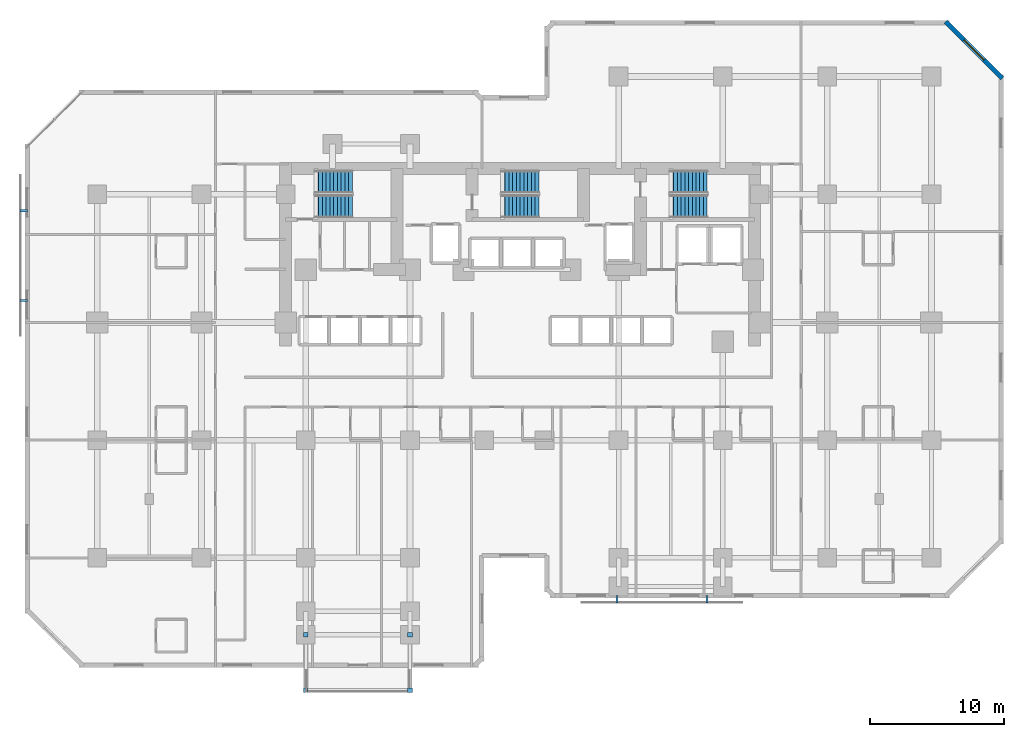
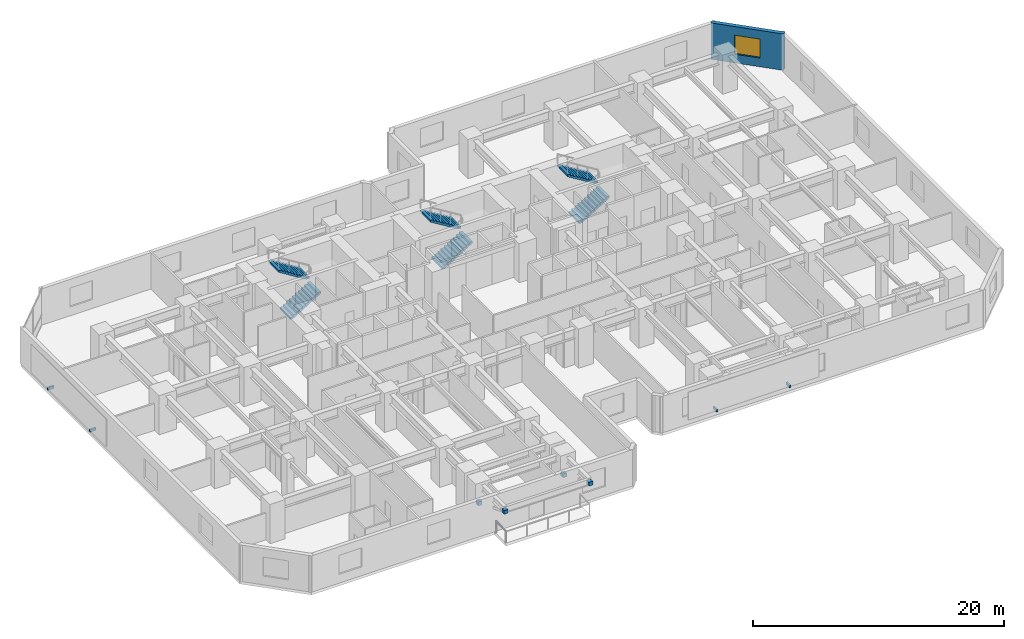
# One storey, part 10 of 12: 8 discrete accessories, 6 stair flights, 1 wall, 1 window, 1 opening, 3 elements without a shape of their own.
"""IFC4 building model written with IfcOpenShell, lengths in metres."""

from ifc_helpers import new_model, si_unit, direction, frame, frame_2d, origin, origin_2d, place, context, subcontext, project, spatial, polyline, rectangle, outline, extrude, material, layer, layer_set, type_object, element, fill, aggregate, save


model = new_model("IFC4")

# Units and contexts
model_context = context("Model", 3, precision=1e-05, world=origin(), true_north=direction((0.0, 1.0)))
body_context = subcontext(model_context, "Body", "Model", "MODEL_VIEW")
ifc_project = project(units=[si_unit("LENGTHUNIT", "METRE"), si_unit("AREAUNIT", "SQUARE_METRE"), si_unit("VOLUMEUNIT", "CUBIC_METRE"), si_unit("PLANEANGLEUNIT", "RADIAN"), si_unit("MASSUNIT", "GRAM", prefix="KILO")], contexts=[model_context])

# Site, building, storey
site_placement = place(None, origin())
site = spatial("IfcSite", under=ifc_project, at=site_placement, CompositionType="ELEMENT")
building_placement = place(site_placement, origin())
building = spatial("IfcBuilding", under=site, at=building_placement, Name="Kestravale Grand Hotel", CompositionType="ELEMENT")
storey_placement = place(building_placement, frame((0.0, 0.0, 41.199951171875)))
storey = spatial("IfcBuildingStorey", under=building, at=storey_placement, Name="L09", CompositionType="ELEMENT", Elevation=41.199951171875)

# Wall, opening, window
ifc_material_1 = material(Name="Precast concrete f'c 45 MPa", Category="concrete")
ifc_layer = layer(ifc_material_1, 0.340087890625)
ifc_layer_set = layer_set([ifc_layer], Name="EW-PREC-340")
wall_type = type_object("IfcWallType", Name="EW-PREC-340", PredefinedType="SOLIDWALL", material=ifc_layer_set)
wall_placement = place(storey_placement, frame((75.508056640625, 47.051513671875, 0.0), z_axis=(0.0, 0.0, 1.0), x_axis=(-0.707106781187, 0.707106781187, 0.0)))
wall = element("IfcWall", 1, at=wall_placement, inside=storey, type_object=wall_type, Name="L09 fluted precast facade wall 10", PredefinedType="SOLIDWALL", context=body_context, shape_type="SweptSolid", body=[
    extrude(rectangle(XDim=6.019775390625, YDim=0.340087890625, at=frame_2d((3.009765625, 0.0))), origin(), (0.0, 0.0, 1.0), 3.5400390625),
])
opening_placement = place(wall_placement, frame((1.9599609375, 0.0, 0.85009765625)))
opening = element("IfcOpeningElement", 2, at=opening_placement, cuts=wall, Name="Opening W-GUEST-2100", PredefinedType="OPENING", context=body_context, shape_type="SweptSolid", body=[
    extrude(rectangle(XDim=2.10009765625, YDim=1.85009765625, at=frame_2d((1.050048828125, 0.925048828125))), frame((0.0, 0.179931640625, 0.0), z_axis=(0.0, -1.0, 0.0), x_axis=(1.0, 0.0, 0.0)), (0.0, 0.0, 1.0), 0.360107421875),
])
ifc_material_2 = material(Name="Insulated low-E double glazing in aluminium frame", Category="aluminium")
window_type = type_object("IfcWindowType", Name="W-GUEST-2100", PartitioningType="DOUBLE_PANEL_VERTICAL", PredefinedType="WINDOW", material=ifc_material_2)
window_placement = place(opening_placement, origin())
window = element("IfcWindow", 3, at=window_placement, inside=storey, type_object=window_type, Name="L09 exterior window 10.1", OverallHeight=1.85009765625, OverallWidth=2.10009765625, PartitioningType="SINGLE_PANEL", PredefinedType="WINDOW", context=body_context, shape_type="SweptSolid", body=[
    extrude(rectangle(XDim=2.10009765625, YDim=1.85009765625, at=frame_2d((1.050048828125, 0.925048828125))), frame((0.0, 0.030029296875, 0.0), z_axis=(0.0, -1.0, 0.0), x_axis=(1.0, 0.0, 0.0)), (0.0, 0.0, 1.0), 0.06005859375),
])
fill(opening, window)

# Stair, stair flights
ifc_material_3 = material(Name="Concrete f'c 45 MPa", Category="concrete")
stair_type = type_object("IfcStairType", Name="ST-CORE-380", PredefinedType="HALF_TURN_STAIR", material=ifc_material_3)
stair_1_placement = place(storey_placement, origin())
stair_1 = element("IfcStair", 4, at=stair_1_placement, inside=storey, type_object=stair_type, Name="L09 ST-1", PredefinedType="HALF_TURN_STAIR")
ifc_material_4 = material(Name="Concrete f'c 45 MPa", Category="concrete")
stair_flight_type = type_object("IfcStairFlightType", Name="STF-CORE-380", PredefinedType="STRAIGHT", material=ifc_material_4)
stair_flight_1_placement = place(storey_placement, frame((24.080078125, 37.489990234375, 0.0), z_axis=(0.0, 0.0, 1.0), x_axis=(1.0, 0.0, 0.0)))
stair_flight_1 = element("IfcStairFlight", 5, at=stair_flight_1_placement, type_object=stair_flight_type, Name="ST-1 flight 1", NumberOfRisers=11, NumberOfTreads=10, PredefinedType="STRAIGHT", RiserHeight=0.172727273, TreadLength=0.28, context=body_context, shape_type="SweptSolid", body=[
    extrude(outline(polyline([(0.0, 0.0), (0.0, 0.172607421875), (0.280029296875, 0.172607421875), (0.280029296875, 0.345458984375), (0.56005859375, 0.345458984375), (0.56005859375, 0.51806640625), (0.840087890625, 0.51806640625), (0.840087890625, 0.69091796875), (1.1201171875, 0.69091796875), (1.1201171875, 0.863525390625), (1.39990234375, 0.863525390625), (1.39990234375, 1.036376953125), (1.679931640625, 1.036376953125), (1.679931640625, 1.208984375), (1.9599609375, 1.208984375), (1.9599609375, 1.3818359375), (2.239990234375, 1.3818359375), (2.239990234375, 1.554443359375), (2.52001953125, 1.554443359375), (2.52001953125, 1.727294921875), (2.800048828125, 1.727294921875), (2.800048828125, 1.89990234375), (2.800048828125, 1.551025390625), (0.285400390625, 0.0), (0.0, 0.0)])), frame((0.0, 0.83984375, 0.0), z_axis=(0.0, -1.0, 0.0), x_axis=(1.0, 0.0, 0.0)), (0.0, 0.0, 1.0), 1.679931640625),
])
stair_flight_2_placement = place(storey_placement, frame((26.8798828125, 39.320068359375, 1.900146484375), z_axis=(0.0, 0.0, 1.0), x_axis=(-1.0, 0.0, 0.0)))
stair_flight_2 = element("IfcStairFlight", 6, at=stair_flight_2_placement, type_object=stair_flight_type, Name="ST-1 flight 2", NumberOfRisers=11, NumberOfTreads=10, PredefinedType="STRAIGHT", RiserHeight=0.172727273, TreadLength=0.28, context=body_context, shape_type="SweptSolid", body=[
    extrude(outline(polyline([(0.0, 0.0), (0.0, 0.172607421875), (0.280029296875, 0.172607421875), (0.280029296875, 0.345458984375), (0.56005859375, 0.345458984375), (0.56005859375, 0.51806640625), (0.840087890625, 0.51806640625), (0.840087890625, 0.69091796875), (1.1201171875, 0.69091796875), (1.1201171875, 0.863525390625), (1.39990234375, 0.863525390625), (1.39990234375, 1.036376953125), (1.679931640625, 1.036376953125), (1.679931640625, 1.208984375), (1.9599609375, 1.208984375), (1.9599609375, 1.3818359375), (2.239990234375, 1.3818359375), (2.239990234375, 1.554443359375), (2.52001953125, 1.554443359375), (2.52001953125, 1.727294921875), (2.800048828125, 1.727294921875), (2.800048828125, 1.89990234375), (2.800048828125, 1.551025390625), (0.285400390625, 0.0), (0.0, 0.0)])), frame((0.0, 0.83984375, 0.0), z_axis=(0.0, -1.0, 0.0), x_axis=(1.0, 0.0, 0.0)), (0.0, 0.0, 1.0), 1.679931640625),
])
aggregate(stair_1, [stair_flight_1, stair_flight_2])

stair_2_placement = place(storey_placement, origin())
stair_2 = element("IfcStair", 7, at=stair_2_placement, inside=storey, type_object=stair_type, Name="L09 ST-2", PredefinedType="HALF_TURN_STAIR")
stair_flight_3_placement = place(storey_placement, frame((38.030029296875, 37.489990234375, 0.0), z_axis=(0.0, 0.0, 1.0), x_axis=(1.0, 0.0, 0.0)))
stair_flight_3 = element("IfcStairFlight", 8, at=stair_flight_3_placement, type_object=stair_flight_type, Name="ST-2 flight 1", NumberOfRisers=11, NumberOfTreads=10, PredefinedType="STRAIGHT", RiserHeight=0.172727273, TreadLength=0.28, context=body_context, shape_type="SweptSolid", body=[
    extrude(outline(polyline([(0.0, 0.0), (0.0, 0.172607421875), (0.280029296875, 0.172607421875), (0.280029296875, 0.345458984375), (0.56005859375, 0.345458984375), (0.56005859375, 0.51806640625), (0.840087890625, 0.51806640625), (0.840087890625, 0.69091796875), (1.1201171875, 0.69091796875), (1.1201171875, 0.863525390625), (1.39990234375, 0.863525390625), (1.39990234375, 1.036376953125), (1.679931640625, 1.036376953125), (1.679931640625, 1.208984375), (1.9599609375, 1.208984375), (1.9599609375, 1.3818359375), (2.239990234375, 1.3818359375), (2.239990234375, 1.554443359375), (2.52001953125, 1.554443359375), (2.52001953125, 1.727294921875), (2.800048828125, 1.727294921875), (2.800048828125, 1.89990234375), (2.800048828125, 1.551025390625), (0.285400390625, 0.0), (0.0, 0.0)])), frame((0.0, 0.83984375, 0.0), z_axis=(0.0, -1.0, 0.0), x_axis=(1.0, 0.0, 0.0)), (0.0, 0.0, 1.0), 1.679931640625),
])
stair_flight_4_placement = place(storey_placement, frame((40.830078125, 39.320068359375, 1.900146484375), z_axis=(0.0, 0.0, 1.0), x_axis=(-1.0, 0.0, 0.0)))
stair_flight_4 = element("IfcStairFlight", 9, at=stair_flight_4_placement, type_object=stair_flight_type, Name="ST-2 flight 2", NumberOfRisers=11, NumberOfTreads=10, PredefinedType="STRAIGHT", RiserHeight=0.172727273, TreadLength=0.28, context=body_context, shape_type="SweptSolid", body=[
    extrude(outline(polyline([(0.0, 0.0), (0.0, 0.172607421875), (0.280029296875, 0.172607421875), (0.280029296875, 0.345458984375), (0.56005859375, 0.345458984375), (0.56005859375, 0.51806640625), (0.840087890625, 0.51806640625), (0.840087890625, 0.69091796875), (1.1201171875, 0.69091796875), (1.1201171875, 0.863525390625), (1.39990234375, 0.863525390625), (1.39990234375, 1.036376953125), (1.679931640625, 1.036376953125), (1.679931640625, 1.208984375), (1.9599609375, 1.208984375), (1.9599609375, 1.3818359375), (2.239990234375, 1.3818359375), (2.239990234375, 1.554443359375), (2.52001953125, 1.554443359375), (2.52001953125, 1.727294921875), (2.800048828125, 1.727294921875), (2.800048828125, 1.89990234375), (2.800048828125, 1.551025390625), (0.285400390625, 0.0), (0.0, 0.0)])), frame((0.0, 0.83984375, 0.0), z_axis=(0.0, -1.0, 0.0), x_axis=(1.0, 0.0, 0.0)), (0.0, 0.0, 1.0), 1.679931640625),
])
aggregate(stair_2, [stair_flight_3, stair_flight_4])

stair_3_placement = place(storey_placement, origin())
stair_3 = element("IfcStair", 10, at=stair_3_placement, inside=storey, type_object=stair_type, Name="L09 ST-3", PredefinedType="HALF_TURN_STAIR")
stair_flight_5_placement = place(storey_placement, frame((50.6298828125, 37.489990234375, 0.0), z_axis=(0.0, 0.0, 1.0), x_axis=(1.0, 0.0, 0.0)))
stair_flight_5 = element("IfcStairFlight", 11, at=stair_flight_5_placement, type_object=stair_flight_type, Name="ST-3 flight 1", NumberOfRisers=11, NumberOfTreads=10, PredefinedType="STRAIGHT", RiserHeight=0.172727273, TreadLength=0.28, context=body_context, shape_type="SweptSolid", body=[
    extrude(outline(polyline([(0.0, 0.0), (0.0, 0.172607421875), (0.280029296875, 0.172607421875), (0.280029296875, 0.345458984375), (0.56005859375, 0.345458984375), (0.56005859375, 0.51806640625), (0.840087890625, 0.51806640625), (0.840087890625, 0.69091796875), (1.1201171875, 0.69091796875), (1.1201171875, 0.863525390625), (1.39990234375, 0.863525390625), (1.39990234375, 1.036376953125), (1.679931640625, 1.036376953125), (1.679931640625, 1.208984375), (1.9599609375, 1.208984375), (1.9599609375, 1.3818359375), (2.239990234375, 1.3818359375), (2.239990234375, 1.554443359375), (2.52001953125, 1.554443359375), (2.52001953125, 1.727294921875), (2.800048828125, 1.727294921875), (2.800048828125, 1.89990234375), (2.800048828125, 1.551025390625), (0.285400390625, 0.0), (0.0, 0.0)])), frame((0.0, 0.83984375, 0.0), z_axis=(0.0, -1.0, 0.0), x_axis=(1.0, 0.0, 0.0)), (0.0, 0.0, 1.0), 1.679931640625),
])
stair_flight_6_placement = place(storey_placement, frame((53.429931640625, 39.320068359375, 1.900146484375), z_axis=(0.0, 0.0, 1.0), x_axis=(-1.0, 0.0, 0.0)))
stair_flight_6 = element("IfcStairFlight", 12, at=stair_flight_6_placement, type_object=stair_flight_type, Name="ST-3 flight 2", NumberOfRisers=11, NumberOfTreads=10, PredefinedType="STRAIGHT", RiserHeight=0.172727273, TreadLength=0.28, context=body_context, shape_type="SweptSolid", body=[
    extrude(outline(polyline([(0.0, 0.0), (0.0, 0.172607421875), (0.280029296875, 0.172607421875), (0.280029296875, 0.345458984375), (0.56005859375, 0.345458984375), (0.56005859375, 0.51806640625), (0.840087890625, 0.51806640625), (0.840087890625, 0.69091796875), (1.1201171875, 0.69091796875), (1.1201171875, 0.863525390625), (1.39990234375, 0.863525390625), (1.39990234375, 1.036376953125), (1.679931640625, 1.036376953125), (1.679931640625, 1.208984375), (1.9599609375, 1.208984375), (1.9599609375, 1.3818359375), (2.239990234375, 1.3818359375), (2.239990234375, 1.554443359375), (2.52001953125, 1.554443359375), (2.52001953125, 1.727294921875), (2.800048828125, 1.727294921875), (2.800048828125, 1.89990234375), (2.800048828125, 1.551025390625), (0.285400390625, 0.0), (0.0, 0.0)])), frame((0.0, 0.83984375, 0.0), z_axis=(0.0, -1.0, 0.0), x_axis=(1.0, 0.0, 0.0)), (0.0, 0.0, 1.0), 1.679931640625),
])
aggregate(stair_3, [stair_flight_5, stair_flight_6])

# Discrete accessories
ifc_material_5 = material(Name="Steel ASTM A572 Grade 50 hot-dip galvanised bracket", Category="steel")
discrete_accessory_type = type_object("IfcDiscreteAccessoryType", Name="ACC-BRK-STL", PredefinedType="BRACKET", material=ifc_material_5)
for number, where, z_axis, x_axis, name in (
    (13, (23.39990234375, 5.449951171875, 1.19384765625), (0.0, 0.0, 1.0), (1.0, 0.0, 0.0), "L10 terrace strut column bracket 1"),
    (14, (23.39990234375, 1.300048828125, 2.89404296875), (0.0, 0.0, 1.0), (1.0, 0.0, 0.0), "L10 terrace strut beam bracket 1"),
    (15, (31.199951171875, 5.449951171875, 1.19384765625), (0.0, 0.0, 1.0), (1.0, 0.0, 0.0), "L10 terrace strut column bracket 2"),
    (16, (31.199951171875, 1.300048828125, 2.89404296875), (0.0, 0.0, 1.0), (1.0, 0.0, 0.0), "L10 terrace strut beam bracket 2"),
):
    element("IfcDiscreteAccessory", number, at=place(storey_placement, frame(where, z_axis=z_axis, x_axis=x_axis)), inside=storey, type_object=discrete_accessory_type, Name=name, PredefinedType="BRACKET", context=body_context, shape_type="SweptSolid", body=[
        extrude(rectangle(XDim=0.360107421875, YDim=0.360107421875, at=origin_2d()), origin(), (0.0, 0.0, 1.0), 0.360107421875),
    ])
for number, where, z_axis, x_axis, name in (
    (17, (46.68994140625, 8.10498046875, 0.56005859375), (0.0, 0.0, 1.0), (1.0, 0.0, 0.0), "L09 solar screen standoff bracket 1"),
    (18, (53.409912109375, 8.10498046875, 0.56005859375), (0.0, 0.0, 1.0), (1.0, 0.0, 0.0), "L09 solar screen standoff bracket 2"),
    (19, (2.304931640625, 37.159912109375, 0.56005859375), (0.0, 0.0, 1.0), (0.0, -1.0, 0.0), "L09 solar screen standoff bracket 1"),
    (20, (2.304931640625, 30.43994140625, 0.56005859375), (0.0, 0.0, 1.0), (0.0, -1.0, 0.0), "L09 solar screen standoff bracket 2"),
):
    element("IfcDiscreteAccessory", number, at=place(storey_placement, frame(where, z_axis=z_axis, x_axis=x_axis)), inside=storey, type_object=discrete_accessory_type, Name=name, PredefinedType="BRACKET", context=body_context, shape_type="SweptSolid", body=[
        extrude(rectangle(XDim=0.159912109375, YDim=0.56005859375, at=origin_2d()), origin(), (0.0, 0.0, 1.0), 0.239990234375),
    ])

save(model, "model.ifc")
